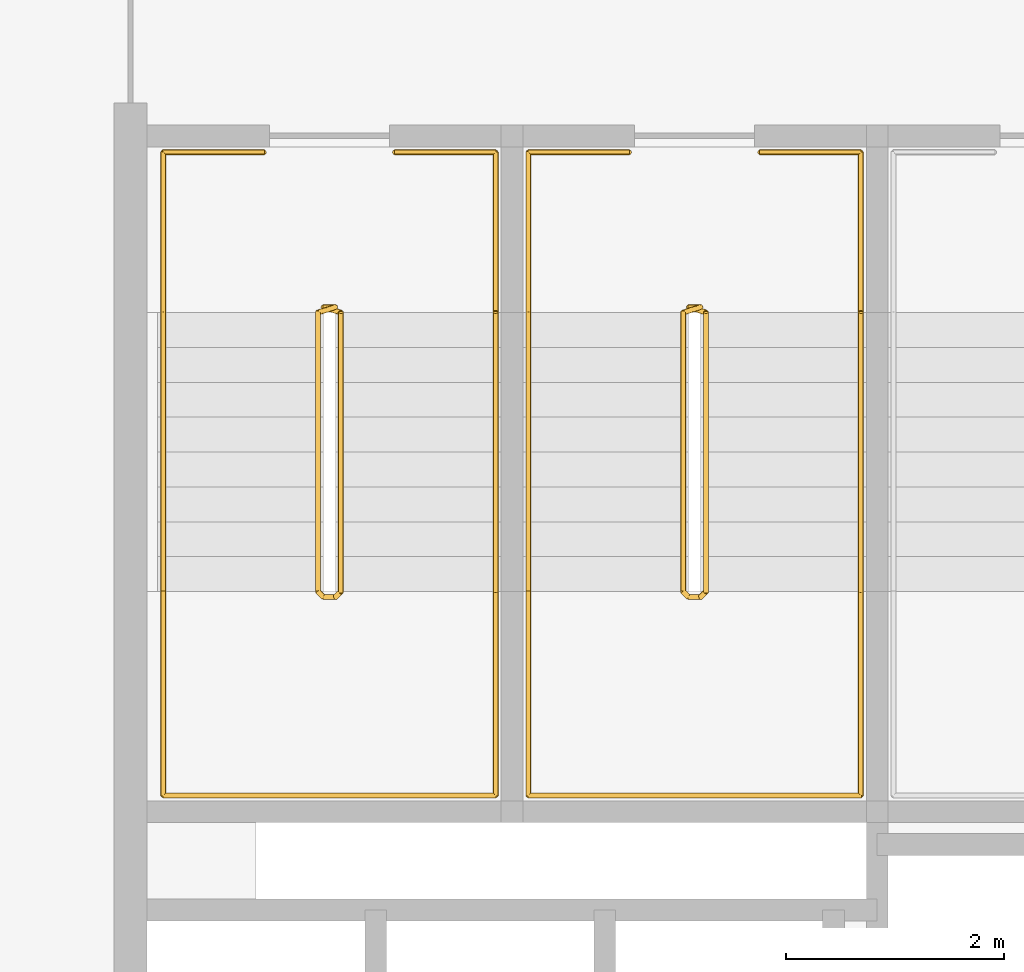
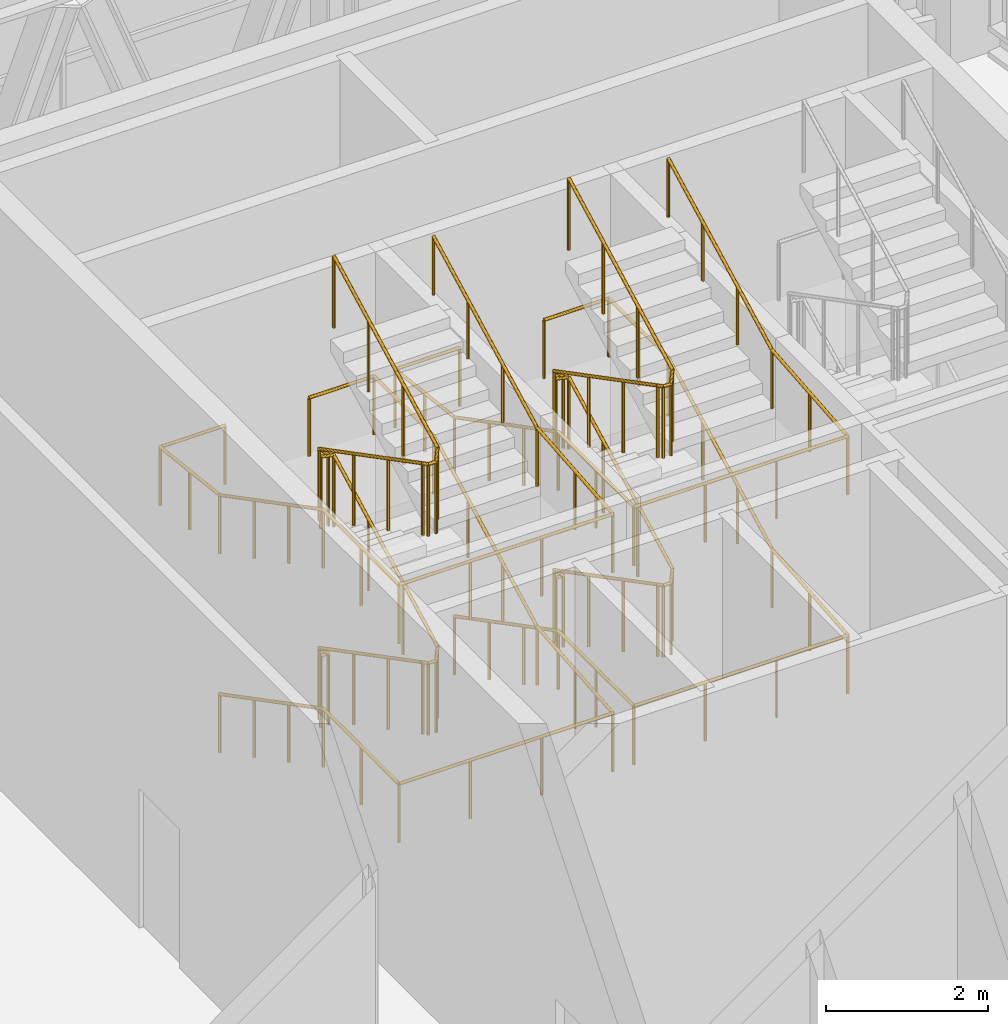
# One storey, part 13 of 14: 6 railings.
"""IFC4 building model written with IfcOpenShell, lengths in metres."""

from ifc_helpers import new_model, si_unit, direction, frame, origin, origin_2d, place, context, subcontext, project, spatial, circle, extrude, material, type_object, element, save


model = new_model("IFC4")

# Units and contexts
model_context = context("Model", 3, precision=1e-05, world=origin(), true_north=direction((0.0, 1.0)))
body_context = subcontext(model_context, "Body", "Model", "MODEL_VIEW")
ifc_project = project(units=[si_unit("LENGTHUNIT", "METRE"), si_unit("AREAUNIT", "SQUARE_METRE"), si_unit("VOLUMEUNIT", "CUBIC_METRE"), si_unit("PLANEANGLEUNIT", "RADIAN"), si_unit("MASSUNIT", "GRAM", prefix="KILO")], contexts=[model_context])

# Site, building, storey
site_placement = place(None, origin())
site = spatial("IfcSite", under=ifc_project, at=site_placement, CompositionType="ELEMENT")
building_placement = place(site_placement, origin())
building = spatial("IfcBuilding", under=site, at=building_placement, Name="Tessera Arch", CompositionType="ELEMENT")
storey_placement = place(building_placement, frame((0.0, 0.0, 295.199951171875)))
storey = spatial("IfcBuildingStorey", under=building, at=storey_placement, Name="L71", CompositionType="ELEMENT", Elevation=295.199951171875)

# Railings
ifc_material_1 = material(Name="Painted steel balustrade", Category="steel")
railing_type_1 = type_object("IfcRailingType", Name="Stair guard 1100", PredefinedType="GUARDRAIL", material=ifc_material_1)
railing_1_placement = place(storey_placement, frame((38.219970703125, 43.6298828125, 0.0)))
element("IfcRailing", 1, at=railing_1_placement, inside=storey, type_object=railing_type_1, Name="L71 S1a stair guard 1", PredefinedType="GUARDRAIL", context=body_context, shape_type="SweptSolid", body=[
    extrude(circle(Radius=0.02392578125, at=origin_2d()), frame((-0.00390625, 0.0, 1.076171875), z_axis=(1.0, 0.0, 0.0), x_axis=(0.0, 1.0, 0.0)), (0.0, 0.0, 1.0), 0.1181640625),
    extrude(circle(Radius=0.02392578125, at=origin_2d()), frame((0.11279296875, 0.000732421875, 1.0732421875), z_axis=(-0.677174120815, -0.210584635131, 0.705045616641), x_axis=(0.296948579431, -0.954893471113, 0.0)), (0.0, 0.0, 1.0), 0.244384765625),
    extrude(circle(Radius=0.02392578125, at=origin_2d()), frame((-0.050048828125, -0.046142578125, 1.240966796875), z_axis=(0.0, -0.886929966286, 0.461903923888), x_axis=(1.0, 0.0, 0.0)), (0.0, 0.0, 1.0), 2.89453125),
    extrude(circle(Radius=0.02392578125, at=origin_2d()), frame((-0.052978515625, -2.60693359375, 2.576171875), z_axis=(0.707106781187, -0.707106781187, 0.0), x_axis=(0.707106781187, 0.707106781187, 0.0)), (0.0, 0.0, 1.0), 0.078857421875),
    extrude(circle(Radius=0.02392578125, at=origin_2d()), frame((-0.00390625, -2.659912109375, 2.576171875), z_axis=(1.0, 0.0, 0.0), x_axis=(0.0, 1.0, 0.0)), (0.0, 0.0, 1.0), 0.1181640625),
    extrude(circle(Radius=0.02392578125, at=origin_2d()), frame((0.10888671875, -2.6611328125, 2.572265625), z_axis=(0.275041040955, 0.276389281352, 0.920848191041), x_axis=(-0.708833529934, 0.705375805398, 0.0)), (0.0, 0.0, 1.0), 0.18896484375),
    extrude(circle(Radius=0.02392578125, at=origin_2d()), frame((0.159912109375, -2.613525390625, 2.740966796875), z_axis=(0.0, 0.886929966286, 0.461903923888), x_axis=(-1.0, 0.0, 0.0)), (0.0, 0.0, 1.0), 2.89453125),
    extrude(circle(Radius=0.02392578125, at=origin_2d()), frame((0.163818359375, -0.051025390625, 4.076171875), z_axis=(-0.954764847777, 0.297361876254, 0.0), x_axis=(-0.297361876254, -0.954764847777, 0.0)), (0.0, 0.0, 1.0), 0.175537109375),
    extrude(circle(Radius=0.02392578125, at=origin_2d()), frame((-0.00390625, 0.0, 4.076171875), z_axis=(1.0, 0.0, 0.0), x_axis=(0.0, 1.0, 0.0)), (0.0, 0.0, 1.0), 0.1181640625),
    extrude(circle(Radius=0.02392578125, at=origin_2d()), frame((0.11279296875, 0.000732421875, 4.0732421875), z_axis=(-0.677174120815, -0.210584635131, 0.705045616641), x_axis=(0.296948579431, -0.954893471113, 0.0)), (0.0, 0.0, 1.0), 0.244384765625),
    extrude(circle(Radius=0.02392578125, at=origin_2d()), frame((-0.050048828125, -0.046142578125, 4.240966796875), z_axis=(0.0, -0.886929966286, 0.461903923888), x_axis=(1.0, 0.0, 0.0)), (0.0, 0.0, 1.0), 2.89453125),
    extrude(circle(Radius=0.02392578125, at=origin_2d()), frame((-0.052978515625, -2.60693359375, 5.576171875), z_axis=(0.707106781187, -0.707106781187, 0.0), x_axis=(0.707106781187, 0.707106781187, 0.0)), (0.0, 0.0, 1.0), 0.078857421875),
    extrude(circle(Radius=0.02392578125, at=origin_2d()), frame((-0.00390625, -2.659912109375, 5.576171875), z_axis=(1.0, 0.0, 0.0), x_axis=(0.0, 1.0, 0.0)), (0.0, 0.0, 1.0), 0.1181640625),
    extrude(circle(Radius=0.02392578125, at=origin_2d()), frame((0.10888671875, -2.6611328125, 5.572265625), z_axis=(0.275041040955, 0.276389281352, 0.920848191041), x_axis=(-0.708833529934, 0.705375805398, 0.0)), (0.0, 0.0, 1.0), 0.18896484375),
    extrude(circle(Radius=0.02392578125, at=origin_2d()), frame((0.159912109375, -2.613525390625, 5.740966796875), z_axis=(0.0, 0.886929966286, 0.461903923888), x_axis=(-1.0, 0.0, 0.0)), (0.0, 0.0, 1.0), 2.89453125),
    extrude(circle(Radius=0.02099609375, at=origin_2d()), origin(), (0.0, 0.0, 1.0), 1.06396484375),
    extrude(circle(Radius=0.02099609375, at=origin_2d()), frame((0.110107421875, 0.0, 0.0)), (0.0, 0.0, 1.0), 1.06396484375),
    extrude(circle(Radius=0.02099609375, at=origin_2d()), frame((-0.050048828125, -0.0498046875, 0.166748046875)), (0.0, 0.0, 1.0), 1.06396484375),
    extrude(circle(Radius=0.02099609375, at=origin_2d()), frame((-0.050048828125, -0.903076171875, 0.611083984375)), (0.0, 0.0, 1.0), 1.06396484375),
    extrude(circle(Radius=0.02099609375, at=origin_2d()), frame((-0.050048828125, -1.756591796875, 1.0556640625)), (0.0, 0.0, 1.0), 1.06396484375),
    extrude(circle(Radius=0.02099609375, at=origin_2d()), frame((-0.050048828125, -2.60986328125, 1.5)), (0.0, 0.0, 1.0), 1.06396484375),
    extrude(circle(Radius=0.02099609375, at=origin_2d()), frame((0.0, -2.659912109375, 1.5)), (0.0, 0.0, 1.0), 1.06396484375),
    extrude(circle(Radius=0.02099609375, at=origin_2d()), frame((0.110107421875, -2.659912109375, 1.5)), (0.0, 0.0, 1.0), 1.06396484375),
    extrude(circle(Radius=0.02099609375, at=origin_2d()), frame((0.159912109375, -2.60986328125, 1.666748046875)), (0.0, 0.0, 1.0), 1.06396484375),
    extrude(circle(Radius=0.02099609375, at=origin_2d()), frame((0.159912109375, -1.756591796875, 2.111083984375)), (0.0, 0.0, 1.0), 1.06396484375),
    extrude(circle(Radius=0.02099609375, at=origin_2d()), frame((0.159912109375, -0.903076171875, 2.5556640625)), (0.0, 0.0, 1.0), 1.06396484375),
    extrude(circle(Radius=0.02099609375, at=origin_2d()), frame((0.159912109375, -0.0498046875, 3.0)), (0.0, 0.0, 1.0), 1.06396484375),
    extrude(circle(Radius=0.02099609375, at=origin_2d()), frame((0.0, 0.0, 3.0)), (0.0, 0.0, 1.0), 1.06396484375),
    extrude(circle(Radius=0.02099609375, at=origin_2d()), frame((0.110107421875, 0.0, 3.0)), (0.0, 0.0, 1.0), 1.06396484375),
    extrude(circle(Radius=0.02099609375, at=origin_2d()), frame((-0.050048828125, -0.0498046875, 3.166748046875)), (0.0, 0.0, 1.0), 1.06396484375),
    extrude(circle(Radius=0.02099609375, at=origin_2d()), frame((-0.050048828125, -0.903076171875, 3.611083984375)), (0.0, 0.0, 1.0), 1.06396484375),
    extrude(circle(Radius=0.02099609375, at=origin_2d()), frame((-0.050048828125, -1.756591796875, 4.0556640625)), (0.0, 0.0, 1.0), 1.06396484375),
    extrude(circle(Radius=0.02099609375, at=origin_2d()), frame((-0.050048828125, -2.60986328125, 4.5)), (0.0, 0.0, 1.0), 1.06396484375),
    extrude(circle(Radius=0.02099609375, at=origin_2d()), frame((0.0, -2.659912109375, 4.5)), (0.0, 0.0, 1.0), 1.06396484375),
    extrude(circle(Radius=0.02099609375, at=origin_2d()), frame((0.110107421875, -2.659912109375, 4.5)), (0.0, 0.0, 1.0), 1.06396484375),
    extrude(circle(Radius=0.02099609375, at=origin_2d()), frame((0.159912109375, -2.60986328125, 4.666748046875)), (0.0, 0.0, 1.0), 1.06396484375),
    extrude(circle(Radius=0.02099609375, at=origin_2d()), frame((0.159912109375, -1.756591796875, 5.111083984375)), (0.0, 0.0, 1.0), 1.06396484375),
    extrude(circle(Radius=0.02099609375, at=origin_2d()), frame((0.159912109375, -0.903076171875, 5.5556640625)), (0.0, 0.0, 1.0), 1.06396484375),
    extrude(circle(Radius=0.02099609375, at=origin_2d()), frame((0.159912109375, -0.0498046875, 6.0)), (0.0, 0.0, 1.0), 1.06396484375),
])
railing_2_placement = place(storey_placement, frame((41.570068359375, 43.6298828125, 0.0)))
element("IfcRailing", 2, at=railing_2_placement, inside=storey, type_object=railing_type_1, Name="L71 S1b stair guard 1", PredefinedType="GUARDRAIL", context=body_context, shape_type="SweptSolid", body=[
    extrude(circle(Radius=0.02392578125, at=origin_2d()), frame((-0.00390625, 0.0, 1.076171875), z_axis=(1.0, 0.0, 0.0), x_axis=(0.0, 1.0, 0.0)), (0.0, 0.0, 1.0), 0.117919921875),
    extrude(circle(Radius=0.02392578125, at=origin_2d()), frame((0.112548828125, 0.000732421875, 1.0732421875), z_axis=(-0.676614622933, -0.210731882562, 0.705538606814), x_axis=(0.297361876254, -0.954764847777, 0.0)), (0.0, 0.0, 1.0), 0.244384765625),
    extrude(circle(Radius=0.02392578125, at=origin_2d()), frame((-0.050048828125, -0.046142578125, 1.240966796875), z_axis=(0.0, -0.886929966286, 0.461903923888), x_axis=(1.0, 0.0, 0.0)), (0.0, 0.0, 1.0), 2.89453125),
    extrude(circle(Radius=0.02392578125, at=origin_2d()), frame((-0.052978515625, -2.60693359375, 2.576171875), z_axis=(0.707106781187, -0.707106781187, 0.0), x_axis=(0.707106781187, 0.707106781187, 0.0)), (0.0, 0.0, 1.0), 0.078857421875),
    extrude(circle(Radius=0.02392578125, at=origin_2d()), frame((-0.00390625, -2.659912109375, 2.576171875), z_axis=(1.0, 0.0, 0.0), x_axis=(0.0, 1.0, 0.0)), (0.0, 0.0, 1.0), 0.117919921875),
    extrude(circle(Radius=0.02392578125, at=origin_2d()), frame((0.108642578125, -2.6611328125, 2.572265625), z_axis=(0.27628659633, 0.27628659633, 0.920506074601), x_axis=(-0.707106781187, 0.707106781187, 0.0)), (0.0, 0.0, 1.0), 0.189208984375),
    extrude(circle(Radius=0.02392578125, at=origin_2d()), frame((0.159912109375, -2.613525390625, 2.740966796875), z_axis=(0.0, 0.886929966286, 0.461903923888), x_axis=(-1.0, 0.0, 0.0)), (0.0, 0.0, 1.0), 2.89453125),
    extrude(circle(Radius=0.02392578125, at=origin_2d()), frame((0.163818359375, -0.051025390625, 4.076171875), z_axis=(-0.954764847777, 0.297361876254, 0.0), x_axis=(-0.297361876254, -0.954764847777, 0.0)), (0.0, 0.0, 1.0), 0.175537109375),
    extrude(circle(Radius=0.02392578125, at=origin_2d()), frame((-0.00390625, 0.0, 4.076171875), z_axis=(1.0, 0.0, 0.0), x_axis=(0.0, 1.0, 0.0)), (0.0, 0.0, 1.0), 0.117919921875),
    extrude(circle(Radius=0.02392578125, at=origin_2d()), frame((0.112548828125, 0.000732421875, 4.0732421875), z_axis=(-0.676614622933, -0.210731882562, 0.705538606814), x_axis=(0.297361876254, -0.954764847777, 0.0)), (0.0, 0.0, 1.0), 0.244384765625),
    extrude(circle(Radius=0.02392578125, at=origin_2d()), frame((-0.050048828125, -0.046142578125, 4.240966796875), z_axis=(0.0, -0.886929966286, 0.461903923888), x_axis=(1.0, 0.0, 0.0)), (0.0, 0.0, 1.0), 2.89453125),
    extrude(circle(Radius=0.02392578125, at=origin_2d()), frame((-0.052978515625, -2.60693359375, 5.576171875), z_axis=(0.707106781187, -0.707106781187, 0.0), x_axis=(0.707106781187, 0.707106781187, 0.0)), (0.0, 0.0, 1.0), 0.078857421875),
    extrude(circle(Radius=0.02392578125, at=origin_2d()), frame((-0.00390625, -2.659912109375, 5.576171875), z_axis=(1.0, 0.0, 0.0), x_axis=(0.0, 1.0, 0.0)), (0.0, 0.0, 1.0), 0.117919921875),
    extrude(circle(Radius=0.02392578125, at=origin_2d()), frame((0.108642578125, -2.6611328125, 5.572265625), z_axis=(0.27628659633, 0.27628659633, 0.920506074601), x_axis=(-0.707106781187, 0.707106781187, 0.0)), (0.0, 0.0, 1.0), 0.189208984375),
    extrude(circle(Radius=0.02392578125, at=origin_2d()), frame((0.159912109375, -2.613525390625, 5.740966796875), z_axis=(0.0, 0.886929966286, 0.461903923888), x_axis=(-1.0, 0.0, 0.0)), (0.0, 0.0, 1.0), 2.89453125),
    extrude(circle(Radius=0.02099609375, at=origin_2d()), origin(), (0.0, 0.0, 1.0), 1.06396484375),
    extrude(circle(Radius=0.02099609375, at=origin_2d()), frame((0.10986328125, 0.0, 0.0)), (0.0, 0.0, 1.0), 1.06396484375),
    extrude(circle(Radius=0.02099609375, at=origin_2d()), frame((-0.050048828125, -0.0498046875, 0.166748046875)), (0.0, 0.0, 1.0), 1.06396484375),
    extrude(circle(Radius=0.02099609375, at=origin_2d()), frame((-0.050048828125, -0.903076171875, 0.611083984375)), (0.0, 0.0, 1.0), 1.06396484375),
    extrude(circle(Radius=0.02099609375, at=origin_2d()), frame((-0.050048828125, -1.756591796875, 1.0556640625)), (0.0, 0.0, 1.0), 1.06396484375),
    extrude(circle(Radius=0.02099609375, at=origin_2d()), frame((-0.050048828125, -2.60986328125, 1.5)), (0.0, 0.0, 1.0), 1.06396484375),
    extrude(circle(Radius=0.02099609375, at=origin_2d()), frame((0.0, -2.659912109375, 1.5)), (0.0, 0.0, 1.0), 1.06396484375),
    extrude(circle(Radius=0.02099609375, at=origin_2d()), frame((0.10986328125, -2.659912109375, 1.5)), (0.0, 0.0, 1.0), 1.06396484375),
    extrude(circle(Radius=0.02099609375, at=origin_2d()), frame((0.159912109375, -2.60986328125, 1.666748046875)), (0.0, 0.0, 1.0), 1.06396484375),
    extrude(circle(Radius=0.02099609375, at=origin_2d()), frame((0.159912109375, -1.756591796875, 2.111083984375)), (0.0, 0.0, 1.0), 1.06396484375),
    extrude(circle(Radius=0.02099609375, at=origin_2d()), frame((0.159912109375, -0.903076171875, 2.5556640625)), (0.0, 0.0, 1.0), 1.06396484375),
    extrude(circle(Radius=0.02099609375, at=origin_2d()), frame((0.159912109375, -0.0498046875, 3.0)), (0.0, 0.0, 1.0), 1.06396484375),
    extrude(circle(Radius=0.02099609375, at=origin_2d()), frame((0.0, 0.0, 3.0)), (0.0, 0.0, 1.0), 1.06396484375),
    extrude(circle(Radius=0.02099609375, at=origin_2d()), frame((0.10986328125, 0.0, 3.0)), (0.0, 0.0, 1.0), 1.06396484375),
    extrude(circle(Radius=0.02099609375, at=origin_2d()), frame((-0.050048828125, -0.0498046875, 3.166748046875)), (0.0, 0.0, 1.0), 1.06396484375),
    extrude(circle(Radius=0.02099609375, at=origin_2d()), frame((-0.050048828125, -0.903076171875, 3.611083984375)), (0.0, 0.0, 1.0), 1.06396484375),
    extrude(circle(Radius=0.02099609375, at=origin_2d()), frame((-0.050048828125, -1.756591796875, 4.0556640625)), (0.0, 0.0, 1.0), 1.06396484375),
    extrude(circle(Radius=0.02099609375, at=origin_2d()), frame((-0.050048828125, -2.60986328125, 4.5)), (0.0, 0.0, 1.0), 1.06396484375),
    extrude(circle(Radius=0.02099609375, at=origin_2d()), frame((0.0, -2.659912109375, 4.5)), (0.0, 0.0, 1.0), 1.06396484375),
    extrude(circle(Radius=0.02099609375, at=origin_2d()), frame((0.10986328125, -2.659912109375, 4.5)), (0.0, 0.0, 1.0), 1.06396484375),
    extrude(circle(Radius=0.02099609375, at=origin_2d()), frame((0.159912109375, -2.60986328125, 4.666748046875)), (0.0, 0.0, 1.0), 1.06396484375),
    extrude(circle(Radius=0.02099609375, at=origin_2d()), frame((0.159912109375, -1.756591796875, 5.111083984375)), (0.0, 0.0, 1.0), 1.06396484375),
    extrude(circle(Radius=0.02099609375, at=origin_2d()), frame((0.159912109375, -0.903076171875, 5.5556640625)), (0.0, 0.0, 1.0), 1.06396484375),
    extrude(circle(Radius=0.02099609375, at=origin_2d()), frame((0.159912109375, -0.0498046875, 6.0)), (0.0, 0.0, 1.0), 1.06396484375),
])
ifc_material_2 = material(Name="Painted steel handrail", Category="steel")
railing_type_2 = type_object("IfcRailingType", Name="Stair handrail 900", PredefinedType="HANDRAIL", material=ifc_material_2)
railing_3_placement = place(storey_placement, frame((36.75, 43.580078125, 0.166748046875)))
element("IfcRailing", 3, at=railing_3_placement, inside=storey, type_object=railing_type_2, Name="L71 S1a stair handrail", PredefinedType="HANDRAIL", context=body_context, shape_type="SweptSolid", body=[
    extrude(circle(Radius=0.02392578125, at=origin_2d()), frame((0.0, 0.003662109375, 0.8740234375), z_axis=(0.0, -0.886929966286, 0.461903923888), x_axis=(1.0, 0.0, 0.0)), (0.0, 0.0, 1.0), 2.89453125),
    extrude(circle(Radius=0.02392578125, at=origin_2d()), frame((0.0, -2.55615234375, 2.208984375), z_axis=(0.0, -1.0, 0.0), x_axis=(1.0, 0.0, 0.0)), (0.0, 0.0, 1.0), 1.878173828125),
    extrude(circle(Radius=0.02392578125, at=origin_2d()), frame((-0.00390625, -4.43017578125, 2.208984375), z_axis=(1.0, 0.0, 0.0), x_axis=(0.0, 1.0, 0.0)), (0.0, 0.0, 1.0), 3.05810546875),
    extrude(circle(Radius=0.02392578125, at=origin_2d()), frame((3.050048828125, -4.43408203125, 2.208740234375), z_axis=(0.0, 0.996048393597, 0.088812147889), x_axis=(-1.0, 0.0, 0.0)), (0.0, 0.0, 1.0), 1.885498046875),
    extrude(circle(Radius=0.02392578125, at=origin_2d()), frame((3.050048828125, -2.563720703125, 2.3740234375), z_axis=(0.0, 0.886929966286, 0.461903923888), x_axis=(-1.0, 0.0, 0.0)), (0.0, 0.0, 1.0), 2.89453125),
    extrude(circle(Radius=0.02392578125, at=origin_2d()), frame((3.050048828125, -0.00390625, 3.708984375), z_axis=(0.0, 1.0, 0.0), x_axis=(-1.0, 0.0, 0.0)), (0.0, 0.0, 1.0), 1.47802734375),
    extrude(circle(Radius=0.02392578125, at=origin_2d()), frame((3.053955078125, 1.469970703125, 3.708984375), z_axis=(-1.0, 0.0, 0.0), x_axis=(0.0, -1.0, 0.0)), (0.0, 0.0, 1.0), 0.93310546875),
    extrude(circle(Radius=0.02099609375, at=origin_2d()), origin(), (0.0, 0.0, 1.0), 0.86376953125),
    extrude(circle(Radius=0.02099609375, at=origin_2d()), frame((0.0, -0.853271484375, 0.4443359375)), (0.0, 0.0, 1.0), 0.86376953125),
    extrude(circle(Radius=0.02099609375, at=origin_2d()), frame((0.0, -1.706787109375, 0.888916015625)), (0.0, 0.0, 1.0), 0.86376953125),
    extrude(circle(Radius=0.02099609375, at=origin_2d()), frame((0.0, -2.56005859375, 1.333251953125)), (0.0, 0.0, 1.0), 0.86376953125),
    extrude(circle(Radius=0.02099609375, at=origin_2d()), frame((0.0, -3.4951171875, 1.333251953125)), (0.0, 0.0, 1.0), 0.86376953125),
    extrude(circle(Radius=0.02099609375, at=origin_2d()), frame((0.0, -4.43017578125, 1.333251953125)), (0.0, 0.0, 1.0), 0.86376953125),
    extrude(circle(Radius=0.02099609375, at=origin_2d()), frame((1.0166015625, -4.43017578125, 1.333251953125)), (0.0, 0.0, 1.0), 0.86376953125),
    extrude(circle(Radius=0.02099609375, at=origin_2d()), frame((2.033447265625, -4.43017578125, 1.333251953125)), (0.0, 0.0, 1.0), 0.86376953125),
    extrude(circle(Radius=0.02099609375, at=origin_2d()), frame((3.050048828125, -4.43017578125, 1.333251953125)), (0.0, 0.0, 1.0), 0.86376953125),
    extrude(circle(Radius=0.02099609375, at=origin_2d()), frame((3.050048828125, -3.4951171875, 1.41650390625)), (0.0, 0.0, 1.0), 0.86376953125),
    extrude(circle(Radius=0.02099609375, at=origin_2d()), frame((3.050048828125, -2.56005859375, 1.5)), (0.0, 0.0, 1.0), 0.86376953125),
    extrude(circle(Radius=0.02099609375, at=origin_2d()), frame((3.050048828125, -1.706787109375, 1.9443359375)), (0.0, 0.0, 1.0), 0.86376953125),
    extrude(circle(Radius=0.02099609375, at=origin_2d()), frame((3.050048828125, -0.853271484375, 2.388916015625)), (0.0, 0.0, 1.0), 0.86376953125),
    extrude(circle(Radius=0.02099609375, at=origin_2d()), frame((3.050048828125, 0.0, 2.833251953125)), (0.0, 0.0, 1.0), 0.86376953125),
    extrude(circle(Radius=0.02099609375, at=origin_2d()), frame((3.050048828125, 0.73486328125, 2.833251953125)), (0.0, 0.0, 1.0), 0.86376953125),
    extrude(circle(Radius=0.02099609375, at=origin_2d()), frame((3.050048828125, 1.469970703125, 2.833251953125)), (0.0, 0.0, 1.0), 0.86376953125),
    extrude(circle(Radius=0.02099609375, at=origin_2d()), frame((2.125, 1.469970703125, 2.833251953125)), (0.0, 0.0, 1.0), 0.86376953125),
])
railing_4_placement = place(storey_placement, frame((37.675048828125, 45.050048828125, 3.0)))
element("IfcRailing", 4, at=railing_4_placement, inside=storey, type_object=railing_type_2, Name="L71 S1a stair handrail 2", PredefinedType="HANDRAIL", context=body_context, shape_type="SweptSolid", body=[
    extrude(circle(Radius=0.02392578125, at=origin_2d()), frame((0.00390625, 0.0, 0.8759765625), z_axis=(-1.0, 0.0, 0.0), x_axis=(0.0, -1.0, 0.0)), (0.0, 0.0, 1.0), 0.93310546875),
    extrude(circle(Radius=0.02392578125, at=origin_2d()), frame((-0.925048828125, 0.00390625, 0.87548828125), z_axis=(0.0, -0.993627536354, 0.112713437524), x_axis=(1.0, 0.0, 0.0)), (0.0, 0.0, 1.0), 1.4873046875),
    extrude(circle(Radius=0.02392578125, at=origin_2d()), frame((-0.925048828125, -1.46630859375, 1.040771484375), z_axis=(0.0, -0.886929966286, 0.461903923888), x_axis=(1.0, 0.0, 0.0)), (0.0, 0.0, 1.0), 2.89453125),
    extrude(circle(Radius=0.02392578125, at=origin_2d()), frame((-0.925048828125, -4.026123046875, 2.3759765625), z_axis=(0.0, -1.0, 0.0), x_axis=(1.0, 0.0, 0.0)), (0.0, 0.0, 1.0), 1.878173828125),
    extrude(circle(Radius=0.02392578125, at=origin_2d()), frame((-0.928955078125, -5.900146484375, 2.3759765625), z_axis=(1.0, 0.0, 0.0), x_axis=(0.0, 1.0, 0.0)), (0.0, 0.0, 1.0), 3.05810546875),
    extrude(circle(Radius=0.02392578125, at=origin_2d()), frame((2.125, -5.904052734375, 2.37548828125), z_axis=(0.0, 0.996048393597, 0.088812147889), x_axis=(-1.0, 0.0, 0.0)), (0.0, 0.0, 1.0), 1.885498046875),
    extrude(circle(Radius=0.02392578125, at=origin_2d()), frame((2.125, -4.03369140625, 2.540771484375), z_axis=(0.0, 0.886929966286, 0.461903923888), x_axis=(-1.0, 0.0, 0.0)), (0.0, 0.0, 1.0), 2.89453125),
    extrude(circle(Radius=0.02099609375, at=origin_2d()), origin(), (0.0, 0.0, 1.0), 0.86376953125),
    extrude(circle(Radius=0.02099609375, at=origin_2d()), frame((-0.925048828125, 0.0, 0.0)), (0.0, 0.0, 1.0), 0.86376953125),
    extrude(circle(Radius=0.02099609375, at=origin_2d()), frame((-0.925048828125, -0.73486328125, 0.08349609375)), (0.0, 0.0, 1.0), 0.86376953125),
    extrude(circle(Radius=0.02099609375, at=origin_2d()), frame((-0.925048828125, -1.469970703125, 0.166748046875)), (0.0, 0.0, 1.0), 0.86376953125),
    extrude(circle(Radius=0.02099609375, at=origin_2d()), frame((-0.925048828125, -2.3232421875, 0.611083984375)), (0.0, 0.0, 1.0), 0.86376953125),
    extrude(circle(Radius=0.02099609375, at=origin_2d()), frame((-0.925048828125, -3.1767578125, 1.0556640625)), (0.0, 0.0, 1.0), 0.86376953125),
    extrude(circle(Radius=0.02099609375, at=origin_2d()), frame((-0.925048828125, -4.030029296875, 1.5)), (0.0, 0.0, 1.0), 0.86376953125),
    extrude(circle(Radius=0.02099609375, at=origin_2d()), frame((-0.925048828125, -4.965087890625, 1.5)), (0.0, 0.0, 1.0), 0.86376953125),
    extrude(circle(Radius=0.02099609375, at=origin_2d()), frame((-0.925048828125, -5.900146484375, 1.5)), (0.0, 0.0, 1.0), 0.86376953125),
    extrude(circle(Radius=0.02099609375, at=origin_2d()), frame((0.091552734375, -5.900146484375, 1.5)), (0.0, 0.0, 1.0), 0.86376953125),
    extrude(circle(Radius=0.02099609375, at=origin_2d()), frame((1.1083984375, -5.900146484375, 1.5)), (0.0, 0.0, 1.0), 0.86376953125),
    extrude(circle(Radius=0.02099609375, at=origin_2d()), frame((2.125, -5.900146484375, 1.5)), (0.0, 0.0, 1.0), 0.86376953125),
    extrude(circle(Radius=0.02099609375, at=origin_2d()), frame((2.125, -4.965087890625, 1.58349609375)), (0.0, 0.0, 1.0), 0.86376953125),
    extrude(circle(Radius=0.02099609375, at=origin_2d()), frame((2.125, -4.030029296875, 1.666748046875)), (0.0, 0.0, 1.0), 0.86376953125),
    extrude(circle(Radius=0.02099609375, at=origin_2d()), frame((2.125, -3.1767578125, 2.111083984375)), (0.0, 0.0, 1.0), 0.86376953125),
    extrude(circle(Radius=0.02099609375, at=origin_2d()), frame((2.125, -2.3232421875, 2.5556640625)), (0.0, 0.0, 1.0), 0.86376953125),
    extrude(circle(Radius=0.02099609375, at=origin_2d()), frame((2.125, -1.469970703125, 3.0)), (0.0, 0.0, 1.0), 0.86376953125),
])
railing_5_placement = place(storey_placement, frame((40.10009765625, 43.580078125, 0.166748046875)))
element("IfcRailing", 5, at=railing_5_placement, inside=storey, type_object=railing_type_2, Name="L71 S1b stair handrail", PredefinedType="HANDRAIL", context=body_context, shape_type="SweptSolid", body=[
    extrude(circle(Radius=0.02392578125, at=origin_2d()), frame((0.0, 0.003662109375, 0.8740234375), z_axis=(0.0, -0.886929966286, 0.461903923888), x_axis=(1.0, 0.0, 0.0)), (0.0, 0.0, 1.0), 2.89453125),
    extrude(circle(Radius=0.02392578125, at=origin_2d()), frame((0.0, -2.55615234375, 2.208984375), z_axis=(0.0, -1.0, 0.0), x_axis=(1.0, 0.0, 0.0)), (0.0, 0.0, 1.0), 1.878173828125),
    extrude(circle(Radius=0.02392578125, at=origin_2d()), frame((-0.00390625, -4.43017578125, 2.208984375), z_axis=(1.0, 0.0, 0.0), x_axis=(0.0, 1.0, 0.0)), (0.0, 0.0, 1.0), 3.057861328125),
    extrude(circle(Radius=0.02392578125, at=origin_2d()), frame((3.0498046875, -4.43408203125, 2.208740234375), z_axis=(0.0, 0.996048393597, 0.088812147889), x_axis=(-1.0, 0.0, 0.0)), (0.0, 0.0, 1.0), 1.885498046875),
    extrude(circle(Radius=0.02392578125, at=origin_2d()), frame((3.0498046875, -2.563720703125, 2.3740234375), z_axis=(0.0, 0.886929966286, 0.461903923888), x_axis=(-1.0, 0.0, 0.0)), (0.0, 0.0, 1.0), 2.89453125),
    extrude(circle(Radius=0.02392578125, at=origin_2d()), frame((3.0498046875, -0.00390625, 3.708984375), z_axis=(0.0, 1.0, 0.0), x_axis=(-1.0, 0.0, 0.0)), (0.0, 0.0, 1.0), 1.47802734375),
    extrude(circle(Radius=0.02392578125, at=origin_2d()), frame((3.0537109375, 1.469970703125, 3.708984375), z_axis=(-1.0, 0.0, 0.0), x_axis=(0.0, -1.0, 0.0)), (0.0, 0.0, 1.0), 0.932861328125),
    extrude(circle(Radius=0.02099609375, at=origin_2d()), origin(), (0.0, 0.0, 1.0), 0.86376953125),
    extrude(circle(Radius=0.02099609375, at=origin_2d()), frame((0.0, -0.853271484375, 0.4443359375)), (0.0, 0.0, 1.0), 0.86376953125),
    extrude(circle(Radius=0.02099609375, at=origin_2d()), frame((0.0, -1.706787109375, 0.888916015625)), (0.0, 0.0, 1.0), 0.86376953125),
    extrude(circle(Radius=0.02099609375, at=origin_2d()), frame((0.0, -2.56005859375, 1.333251953125)), (0.0, 0.0, 1.0), 0.86376953125),
    extrude(circle(Radius=0.02099609375, at=origin_2d()), frame((0.0, -3.4951171875, 1.333251953125)), (0.0, 0.0, 1.0), 0.86376953125),
    extrude(circle(Radius=0.02099609375, at=origin_2d()), frame((0.0, -4.43017578125, 1.333251953125)), (0.0, 0.0, 1.0), 0.86376953125),
    extrude(circle(Radius=0.02099609375, at=origin_2d()), frame((1.0166015625, -4.43017578125, 1.333251953125)), (0.0, 0.0, 1.0), 0.86376953125),
    extrude(circle(Radius=0.02099609375, at=origin_2d()), frame((2.033203125, -4.43017578125, 1.333251953125)), (0.0, 0.0, 1.0), 0.86376953125),
    extrude(circle(Radius=0.02099609375, at=origin_2d()), frame((3.0498046875, -4.43017578125, 1.333251953125)), (0.0, 0.0, 1.0), 0.86376953125),
    extrude(circle(Radius=0.02099609375, at=origin_2d()), frame((3.0498046875, -3.4951171875, 1.41650390625)), (0.0, 0.0, 1.0), 0.86376953125),
    extrude(circle(Radius=0.02099609375, at=origin_2d()), frame((3.0498046875, -2.56005859375, 1.5)), (0.0, 0.0, 1.0), 0.86376953125),
    extrude(circle(Radius=0.02099609375, at=origin_2d()), frame((3.0498046875, -1.706787109375, 1.9443359375)), (0.0, 0.0, 1.0), 0.86376953125),
    extrude(circle(Radius=0.02099609375, at=origin_2d()), frame((3.0498046875, -0.853271484375, 2.388916015625)), (0.0, 0.0, 1.0), 0.86376953125),
    extrude(circle(Radius=0.02099609375, at=origin_2d()), frame((3.0498046875, 0.0, 2.833251953125)), (0.0, 0.0, 1.0), 0.86376953125),
    extrude(circle(Radius=0.02099609375, at=origin_2d()), frame((3.0498046875, 0.73486328125, 2.833251953125)), (0.0, 0.0, 1.0), 0.86376953125),
    extrude(circle(Radius=0.02099609375, at=origin_2d()), frame((3.0498046875, 1.469970703125, 2.833251953125)), (0.0, 0.0, 1.0), 0.86376953125),
    extrude(circle(Radius=0.02099609375, at=origin_2d()), frame((2.125, 1.469970703125, 2.833251953125)), (0.0, 0.0, 1.0), 0.86376953125),
])
railing_6_placement = place(storey_placement, frame((41.02490234375, 45.050048828125, 3.0)))
element("IfcRailing", 6, at=railing_6_placement, inside=storey, type_object=railing_type_2, Name="L71 S1b stair handrail 2", PredefinedType="HANDRAIL", context=body_context, shape_type="SweptSolid", body=[
    extrude(circle(Radius=0.02392578125, at=origin_2d()), frame((0.00390625, 0.0, 0.8759765625), z_axis=(-1.0, 0.0, 0.0), x_axis=(0.0, -1.0, 0.0)), (0.0, 0.0, 1.0), 0.932861328125),
    extrude(circle(Radius=0.02392578125, at=origin_2d()), frame((-0.9248046875, 0.00390625, 0.87548828125), z_axis=(0.0, -0.993627536354, 0.112713437524), x_axis=(1.0, 0.0, 0.0)), (0.0, 0.0, 1.0), 1.4873046875),
    extrude(circle(Radius=0.02392578125, at=origin_2d()), frame((-0.9248046875, -1.46630859375, 1.040771484375), z_axis=(0.0, -0.886929966286, 0.461903923888), x_axis=(1.0, 0.0, 0.0)), (0.0, 0.0, 1.0), 2.89453125),
    extrude(circle(Radius=0.02392578125, at=origin_2d()), frame((-0.9248046875, -4.026123046875, 2.3759765625), z_axis=(0.0, -1.0, 0.0), x_axis=(1.0, 0.0, 0.0)), (0.0, 0.0, 1.0), 1.878173828125),
    extrude(circle(Radius=0.02392578125, at=origin_2d()), frame((-0.9287109375, -5.900146484375, 2.3759765625), z_axis=(1.0, 0.0, 0.0), x_axis=(0.0, 1.0, 0.0)), (0.0, 0.0, 1.0), 3.057861328125),
    extrude(circle(Radius=0.02392578125, at=origin_2d()), frame((2.125, -5.904052734375, 2.37548828125), z_axis=(0.0, 0.996048393597, 0.088812147889), x_axis=(-1.0, 0.0, 0.0)), (0.0, 0.0, 1.0), 1.885498046875),
    extrude(circle(Radius=0.02392578125, at=origin_2d()), frame((2.125, -4.03369140625, 2.540771484375), z_axis=(0.0, 0.886929966286, 0.461903923888), x_axis=(-1.0, 0.0, 0.0)), (0.0, 0.0, 1.0), 2.89453125),
    extrude(circle(Radius=0.02099609375, at=origin_2d()), origin(), (0.0, 0.0, 1.0), 0.86376953125),
    extrude(circle(Radius=0.02099609375, at=origin_2d()), frame((-0.9248046875, 0.0, 0.0)), (0.0, 0.0, 1.0), 0.86376953125),
    extrude(circle(Radius=0.02099609375, at=origin_2d()), frame((-0.9248046875, -0.73486328125, 0.08349609375)), (0.0, 0.0, 1.0), 0.86376953125),
    extrude(circle(Radius=0.02099609375, at=origin_2d()), frame((-0.9248046875, -1.469970703125, 0.166748046875)), (0.0, 0.0, 1.0), 0.86376953125),
    extrude(circle(Radius=0.02099609375, at=origin_2d()), frame((-0.9248046875, -2.3232421875, 0.611083984375)), (0.0, 0.0, 1.0), 0.86376953125),
    extrude(circle(Radius=0.02099609375, at=origin_2d()), frame((-0.9248046875, -3.1767578125, 1.0556640625)), (0.0, 0.0, 1.0), 0.86376953125),
    extrude(circle(Radius=0.02099609375, at=origin_2d()), frame((-0.9248046875, -4.030029296875, 1.5)), (0.0, 0.0, 1.0), 0.86376953125),
    extrude(circle(Radius=0.02099609375, at=origin_2d()), frame((-0.9248046875, -4.965087890625, 1.5)), (0.0, 0.0, 1.0), 0.86376953125),
    extrude(circle(Radius=0.02099609375, at=origin_2d()), frame((-0.9248046875, -5.900146484375, 1.5)), (0.0, 0.0, 1.0), 0.86376953125),
    extrude(circle(Radius=0.02099609375, at=origin_2d()), frame((0.091796875, -5.900146484375, 1.5)), (0.0, 0.0, 1.0), 0.86376953125),
    extrude(circle(Radius=0.02099609375, at=origin_2d()), frame((1.1083984375, -5.900146484375, 1.5)), (0.0, 0.0, 1.0), 0.86376953125),
    extrude(circle(Radius=0.02099609375, at=origin_2d()), frame((2.125, -5.900146484375, 1.5)), (0.0, 0.0, 1.0), 0.86376953125),
    extrude(circle(Radius=0.02099609375, at=origin_2d()), frame((2.125, -4.965087890625, 1.58349609375)), (0.0, 0.0, 1.0), 0.86376953125),
    extrude(circle(Radius=0.02099609375, at=origin_2d()), frame((2.125, -4.030029296875, 1.666748046875)), (0.0, 0.0, 1.0), 0.86376953125),
    extrude(circle(Radius=0.02099609375, at=origin_2d()), frame((2.125, -3.1767578125, 2.111083984375)), (0.0, 0.0, 1.0), 0.86376953125),
    extrude(circle(Radius=0.02099609375, at=origin_2d()), frame((2.125, -2.3232421875, 2.5556640625)), (0.0, 0.0, 1.0), 0.86376953125),
    extrude(circle(Radius=0.02099609375, at=origin_2d()), frame((2.125, -1.469970703125, 3.0)), (0.0, 0.0, 1.0), 0.86376953125),
])

save(model, "model.ifc")
